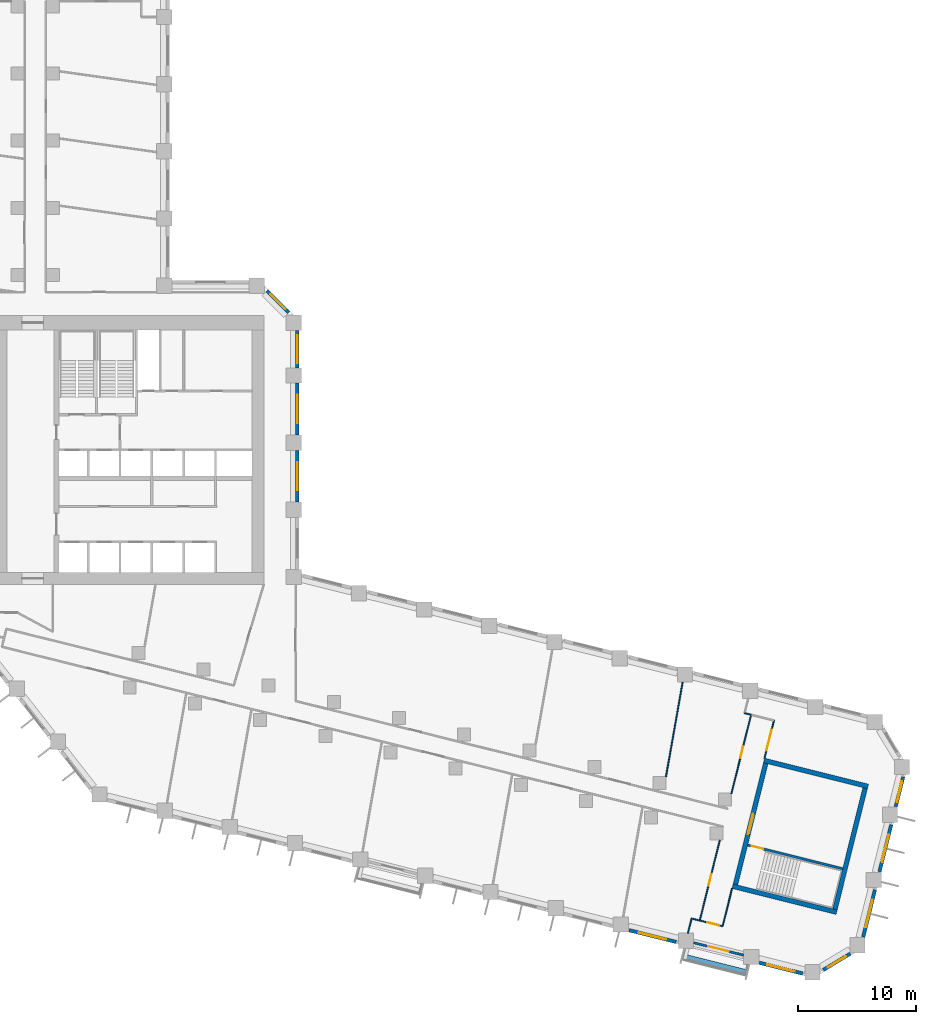
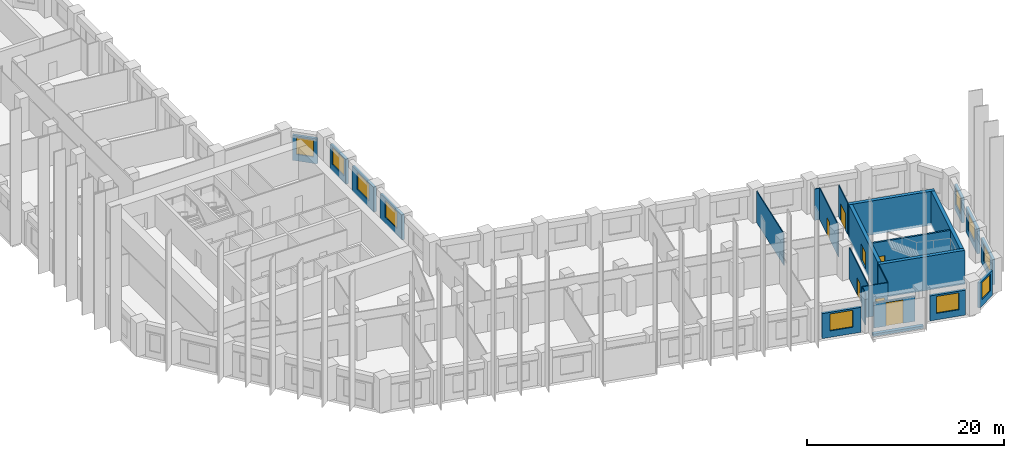
# One storey, part 6 of 10: 26 walls, 10 windows, 7 doors, 17 openings.
"""IFC4 building model written with IfcOpenShell, lengths in metres."""

from ifc_helpers import new_model, si_unit, direction, frame, frame_2d, origin, place, context, subcontext, project, spatial, rectangle, extrude, material, layer, layer_set, type_object, element, fill, save


model = new_model("IFC4")

# Units and contexts
model_context = context("Model", 3, precision=1e-05, world=origin(), true_north=direction((0.0, 1.0)))
body_context = subcontext(model_context, "Body", "Model", "MODEL_VIEW")
ifc_project = project(units=[si_unit("LENGTHUNIT", "METRE"), si_unit("AREAUNIT", "SQUARE_METRE"), si_unit("VOLUMEUNIT", "CUBIC_METRE"), si_unit("PLANEANGLEUNIT", "RADIAN"), si_unit("MASSUNIT", "GRAM", prefix="KILO")], contexts=[model_context])

# Site, building, storey
site_placement = place(None, origin())
site = spatial("IfcSite", under=ifc_project, at=site_placement, CompositionType="ELEMENT")
building_placement = place(site_placement, origin())
building = spatial("IfcBuilding", under=site, at=building_placement, Name="Meshkara Civic Tower", CompositionType="ELEMENT")
storey_placement = place(building_placement, frame((0.0, 0.0, 114.0)))
storey = spatial("IfcBuildingStorey", under=building, at=storey_placement, Name="L25", CompositionType="ELEMENT", Elevation=114.0)

# Wall, opening, door
ifc_material_1 = material(Name="Corridor wall 100")
ifc_layer_1 = layer(ifc_material_1, 0.10009765625)
ifc_layer_set_1 = layer_set([ifc_layer_1], Name="Corridor wall 100")
wall_type_1 = type_object("IfcWallType", Name="Corridor wall 100", PredefinedType="PARTITIONING", material=ifc_layer_set_1)
wall_1_placement = place(storey_placement, frame((67.79296875, -14.428955078125, 0.0), z_axis=(0.0, 0.0, 1.0), x_axis=(0.9702715884, -0.242018686767, 0.0)))
wall_1 = element("IfcWall", 1, at=wall_1_placement, inside=storey, type_object=wall_type_1, Name="L25-W024", PredefinedType="PARTITIONING", context=body_context, shape_type="SweptSolid", body=[
    extrude(rectangle(XDim=2.00048828125, YDim=0.10009765625, at=frame_2d((1.000244140625, 0.0))), origin(), (0.0, 0.0, 1.0), 3.89990234375),
])
opening_1_placement = place(wall_1_placement, frame((0.679931640625, 0.0, 0.0)))
opening_1 = element("IfcOpeningElement", 2, at=opening_1_placement, cuts=wall_1, Name="Opening L25-D001", PredefinedType="OPENING", context=body_context, shape_type="SweptSolid", body=[
    extrude(rectangle(XDim=1.0, YDim=2.10009765625, at=frame_2d((0.5, 1.050048828125))), frame((0.0, 0.06005859375, 0.0), z_axis=(0.0, -1.0, 0.0), x_axis=(1.0, 0.0, 0.0)), (0.0, 0.0, 1.0), 0.1201171875),
])
ifc_material_2 = material(Name="Door 1000 x 2100")
door_type_1 = type_object("IfcDoorType", Name="Door 1000 x 2100", OperationType="SINGLE_SWING_LEFT", PredefinedType="DOOR", material=ifc_material_2)
door_1_placement = place(opening_1_placement, origin())
door_1 = element("IfcDoor", 3, at=door_1_placement, inside=storey, type_object=door_type_1, Name="L25-D001", OperationType="SINGLE_SWING_LEFT", OverallHeight=2.10009765625, OverallWidth=1.0, PredefinedType="DOOR", context=body_context, shape_type="SweptSolid", body=[
    extrude(rectangle(XDim=1.0, YDim=2.10009765625, at=frame_2d((0.5, 1.050048828125))), frame((0.0, 0.02490234375, 0.0), z_axis=(0.0, -1.0, 0.0), x_axis=(1.0, 0.0, 0.0)), (0.0, 0.0, 1.0), 0.050048828125),
])
fill(opening_1, door_1)

wall_2_placement = place(storey_placement, frame((69.49609375, -7.60009765625, 0.0), z_axis=(0.0, 0.0, 1.0), x_axis=(-0.241988728544, -0.970279060507, 0.0)))
wall_2 = element("IfcWall", 4, at=wall_2_placement, inside=storey, type_object=wall_type_1, Name="L25-W025", PredefinedType="PARTITIONING", context=body_context, shape_type="SweptSolid", body=[
    extrude(rectangle(XDim=7.0380859375, YDim=0.10009765625, at=frame_2d((3.51904296875, 0.0))), origin(), (0.0, 0.0, 1.0), 3.89990234375),
])
opening_2_placement = place(wall_2_placement, frame((2.97998046875, 0.0, 0.0)))
opening_2 = element("IfcOpeningElement", 5, at=opening_2_placement, cuts=wall_2, Name="Opening L25-D002", PredefinedType="OPENING", context=body_context, shape_type="SweptSolid", body=[
    extrude(rectangle(XDim=1.0, YDim=2.10009765625, at=frame_2d((0.5, 1.050048828125))), frame((0.0, 0.06005859375, 0.0), z_axis=(0.0, -1.0, 0.0), x_axis=(1.0, 0.0, 0.0)), (0.0, 0.0, 1.0), 0.1201171875),
])
door_2_placement = place(opening_2_placement, origin())
door_2 = element("IfcDoor", 6, at=door_2_placement, inside=storey, type_object=door_type_1, Name="L25-D002", OperationType="SINGLE_SWING_RIGHT", OverallHeight=2.10009765625, OverallWidth=1.0, PredefinedType="DOOR", context=body_context, shape_type="SweptSolid", body=[
    extrude(rectangle(XDim=1.0, YDim=2.10009765625, at=frame_2d((0.5, 1.050048828125))), frame((0.0, 0.02490234375, 0.0), z_axis=(0.0, -1.0, 0.0), x_axis=(1.0, 0.0, 0.0)), (0.0, 0.0, 1.0), 0.050048828125),
])
fill(opening_2, door_2)

# Wall
wall_3_placement = place(storey_placement, frame((69.73388671875, -14.9130859375, 0.0), z_axis=(0.0, 0.0, 1.0), x_axis=(0.241839284064, 0.97031631991, 0.0)))
element("IfcWall", 7, at=wall_3_placement, inside=storey, type_object=wall_type_1, Name="L25-W026", PredefinedType="PARTITIONING", context=body_context, shape_type="SweptSolid", body=[
    extrude(rectangle(XDim=3.300048828125, YDim=0.10009765625, at=frame_2d((1.64990234375, 0.0))), origin(), (0.0, 0.0, 1.0), 3.89990234375),
])

# Wall, opening, door
wall_4_placement = place(storey_placement, frame((72.14794921875, 3.035888671875, 0.0), z_axis=(0.0, 0.0, 1.0), x_axis=(-0.241945347889, -0.970289878662, 0.0)))
wall_4 = element("IfcWall", 8, at=wall_4_placement, inside=storey, type_object=wall_type_1, Name="L25-W027", PredefinedType="PARTITIONING", context=body_context, shape_type="SweptSolid", body=[
    extrude(rectangle(XDim=6.91015625, YDim=0.10009765625, at=frame_2d((3.455078125, 0.0))), origin(), (0.0, 0.0, 1.0), 3.89990234375),
])
opening_3_placement = place(wall_4_placement, frame((2.780029296875, 0.0, 0.0)))
opening_3 = element("IfcOpeningElement", 9, at=opening_3_placement, cuts=wall_4, Name="Opening L25-D006", PredefinedType="OPENING", context=body_context, shape_type="SweptSolid", body=[
    extrude(rectangle(XDim=1.0, YDim=2.10009765625, at=frame_2d((0.5, 1.050048828125))), frame((0.0, 0.06005859375, 0.0), z_axis=(0.0, -1.0, 0.0), x_axis=(1.0, 0.0, 0.0)), (0.0, 0.0, 1.0), 0.1201171875),
])
door_3_placement = place(opening_3_placement, origin())
door_3 = element("IfcDoor", 10, at=door_3_placement, inside=storey, type_object=door_type_1, Name="L25-D006", OperationType="SINGLE_SWING_RIGHT", OverallHeight=2.10009765625, OverallWidth=1.0, PredefinedType="DOOR", context=body_context, shape_type="SweptSolid", body=[
    extrude(rectangle(XDim=1.0, YDim=2.10009765625, at=frame_2d((0.5, 1.050048828125))), frame((0.0, 0.02490234375, 0.0), z_axis=(0.0, -1.0, 0.0), x_axis=(1.0, 0.0, 0.0)), (0.0, 0.0, 1.0), 0.050048828125),
])
fill(opening_3, door_3)

wall_5_placement = place(storey_placement, frame((73.2900390625, -0.64990234375, 0.0), z_axis=(0.0, 0.0, 1.0), x_axis=(0.241786986316, 0.970329352977, 0.0)))
wall_5 = element("IfcWall", 11, at=wall_5_placement, inside=storey, type_object=wall_type_1, Name="L25-W028", PredefinedType="PARTITIONING", context=body_context, shape_type="SweptSolid", body=[
    extrude(rectangle(XDim=3.2998046875, YDim=0.10009765625, at=frame_2d((1.64990234375, 0.0))), origin(), (0.0, 0.0, 1.0), 3.89990234375),
])
opening_4_placement = place(wall_5_placement, frame((0.679931640625, 0.0, 0.0)))
opening_4 = element("IfcOpeningElement", 12, at=opening_4_placement, cuts=wall_5, Name="Opening L25-D010", PredefinedType="OPENING", context=body_context, shape_type="SweptSolid", body=[
    extrude(rectangle(XDim=1.800048828125, YDim=2.10009765625, at=frame_2d((0.89990234375, 1.050048828125))), frame((0.0, 0.06005859375, 0.0), z_axis=(0.0, -1.0, 0.0), x_axis=(1.0, 0.0, 0.0)), (0.0, 0.0, 1.0), 0.1201171875),
])
ifc_material_3 = material(Name="Door pair 1800 x 2100")
door_type_2 = type_object("IfcDoorType", Name="Door pair 1800 x 2100", OperationType="SINGLE_SWING_LEFT", PredefinedType="DOOR", material=ifc_material_3)
door_4_placement = place(opening_4_placement, origin())
door_4 = element("IfcDoor", 13, at=door_4_placement, inside=storey, type_object=door_type_2, Name="L25-D010", OperationType="DOUBLE_DOOR_SINGLE_SWING", OverallHeight=2.10009765625, OverallWidth=1.800048828125, PredefinedType="DOOR", context=body_context, shape_type="SweptSolid", body=[
    extrude(rectangle(XDim=1.800048828125, YDim=2.10009765625, at=frame_2d((0.89990234375, 1.050048828125))), frame((0.0, 0.02490234375, 0.0), z_axis=(0.0, -1.0, 0.0), x_axis=(1.0, 0.0, 0.0)), (0.0, 0.0, 1.0), 0.050048828125),
])
fill(opening_4, door_4)

# Wall, opening, window
ifc_material_4 = material(Name="Insulated infill panel with bronze anodised aluminium cladding", Category="aluminium")
ifc_layer_2 = layer(ifc_material_4, 0.300048828125)
ifc_layer_set_2 = layer_set([ifc_layer_2], Name="EXTERNAL INFILL WALL 300")
wall_type_2 = type_object("IfcWallType", Name="EXTERNAL INFILL WALL 300", PredefinedType="SOLIDWALL", material=ifc_layer_set_2)
wall_6_placement = place(storey_placement, frame((33.64990234375, 21.069091796875, 0.0), z_axis=(0.0, 0.0, 1.0), x_axis=(0.0, 1.0, 0.0)))
wall_6 = element("IfcWall", 14, at=wall_6_placement, inside=storey, type_object=wall_type_2, Name="External wall", PredefinedType="SOLIDWALL", context=body_context, shape_type="SweptSolid", body=[
    extrude(rectangle(XDim=4.39990234375, YDim=0.300048828125, at=frame_2d((2.199951171875, 0.0))), origin(), (0.0, 0.0, 1.0), 3.10009765625),
])
opening_5_placement = place(wall_6_placement, frame((1.0, 0.0, 0.800048828125)))
opening_5 = element("IfcOpeningElement", 15, at=opening_5_placement, cuts=wall_6, Name="Opening W7", PredefinedType="OPENING", context=body_context, shape_type="SweptSolid", body=[
    extrude(rectangle(XDim=2.39990234375, YDim=2.10009765625, at=frame_2d((1.199951171875, 1.050048828125))), frame((0.0, 0.159912109375, 0.0), z_axis=(0.0, -1.0, 0.0), x_axis=(1.0, 0.0, 0.0)), (0.0, 0.0, 1.0), 0.320068359375),
])
ifc_material_5 = material(Name="Tinted double glazing", Category="glass")
window_type_1 = type_object("IfcWindowType", Name="WINDOW 2400x2100", PartitioningType="DOUBLE_PANEL_VERTICAL", PredefinedType="WINDOW", material=ifc_material_5)
window_1_placement = place(opening_5_placement, origin())
window_1 = element("IfcWindow", 16, at=window_1_placement, inside=storey, type_object=window_type_1, Name="Window", OverallHeight=2.10009765625, OverallWidth=2.39990234375, PartitioningType="DOUBLE_PANEL_VERTICAL", PredefinedType="WINDOW", context=body_context, shape_type="SweptSolid", body=[
    extrude(rectangle(XDim=2.39990234375, YDim=2.10009765625, at=frame_2d((1.199951171875, 1.050048828125))), frame((0.0, 0.030029296875, 0.0), z_axis=(0.0, -1.0, 0.0), x_axis=(1.0, 0.0, 0.0)), (0.0, 0.0, 1.0), 0.06005859375),
])
fill(opening_5, window_1)

wall_7_placement = place(storey_placement, frame((33.64990234375, 26.76904296875, 0.0), z_axis=(0.0, 0.0, 1.0), x_axis=(0.0, 1.0, 0.0)))
wall_7 = element("IfcWall", 17, at=wall_7_placement, inside=storey, type_object=wall_type_2, Name="External wall", PredefinedType="SOLIDWALL", context=body_context, shape_type="SweptSolid", body=[
    extrude(rectangle(XDim=4.39990234375, YDim=0.300048828125, at=frame_2d((2.199951171875, 0.0))), origin(), (0.0, 0.0, 1.0), 3.10009765625),
])
opening_6_placement = place(wall_7_placement, frame((1.0, 0.0, 0.800048828125)))
opening_6 = element("IfcOpeningElement", 18, at=opening_6_placement, cuts=wall_7, Name="Opening W7", PredefinedType="OPENING", context=body_context, shape_type="SweptSolid", body=[
    extrude(rectangle(XDim=2.39990234375, YDim=2.10009765625, at=frame_2d((1.199951171875, 1.050048828125))), frame((0.0, 0.159912109375, 0.0), z_axis=(0.0, -1.0, 0.0), x_axis=(1.0, 0.0, 0.0)), (0.0, 0.0, 1.0), 0.320068359375),
])
window_2_placement = place(opening_6_placement, origin())
window_2 = element("IfcWindow", 19, at=window_2_placement, inside=storey, type_object=window_type_1, Name="Window", OverallHeight=2.10009765625, OverallWidth=2.39990234375, PartitioningType="DOUBLE_PANEL_VERTICAL", PredefinedType="WINDOW", context=body_context, shape_type="SweptSolid", body=[
    extrude(rectangle(XDim=2.39990234375, YDim=2.10009765625, at=frame_2d((1.199951171875, 1.050048828125))), frame((0.0, 0.030029296875, 0.0), z_axis=(0.0, -1.0, 0.0), x_axis=(1.0, 0.0, 0.0)), (0.0, 0.0, 1.0), 0.06005859375),
])
fill(opening_6, window_2)

wall_8_placement = place(storey_placement, frame((33.64990234375, 32.468994140625, 0.0), z_axis=(0.0, 0.0, 1.0), x_axis=(0.0, 1.0, 0.0)))
wall_8 = element("IfcWall", 20, at=wall_8_placement, inside=storey, type_object=wall_type_2, Name="External wall", PredefinedType="SOLIDWALL", context=body_context, shape_type="SweptSolid", body=[
    extrude(rectangle(XDim=3.175048828125, YDim=0.300048828125, at=frame_2d((1.58740234375, 0.0))), origin(), (0.0, 0.0, 1.0), 3.10009765625),
])
opening_7_placement = place(wall_8_placement, frame((0.387939453125, 0.0, 0.800048828125)))
opening_7 = element("IfcOpeningElement", 21, at=opening_7_placement, cuts=wall_8, Name="Opening W7", PredefinedType="OPENING", context=body_context, shape_type="SweptSolid", body=[
    extrude(rectangle(XDim=2.39990234375, YDim=2.10009765625, at=frame_2d((1.199951171875, 1.050048828125))), frame((0.0, 0.159912109375, 0.0), z_axis=(0.0, -1.0, 0.0), x_axis=(1.0, 0.0, 0.0)), (0.0, 0.0, 1.0), 0.320068359375),
])
window_3_placement = place(opening_7_placement, origin())
window_3 = element("IfcWindow", 22, at=window_3_placement, inside=storey, type_object=window_type_1, Name="Window", OverallHeight=2.10009765625, OverallWidth=2.39990234375, PartitioningType="DOUBLE_PANEL_VERTICAL", PredefinedType="WINDOW", context=body_context, shape_type="SweptSolid", body=[
    extrude(rectangle(XDim=2.39990234375, YDim=2.10009765625, at=frame_2d((1.199951171875, 1.050048828125))), frame((0.0, 0.030029296875, 0.0), z_axis=(0.0, -1.0, 0.0), x_axis=(1.0, 0.0, 0.0)), (0.0, 0.0, 1.0), 0.06005859375),
])
fill(opening_7, window_3)

wall_9_placement = place(storey_placement, frame((32.912109375, 37.156005859375, 0.0), z_axis=(0.0, 0.0, 1.0), x_axis=(-0.707153284542, 0.707060274772, 0.0)))
wall_9 = element("IfcWall", 23, at=wall_9_placement, inside=storey, type_object=wall_type_2, Name="External wall", PredefinedType="SOLIDWALL", context=body_context, shape_type="SweptSolid", body=[
    extrude(rectangle(XDim=2.625, YDim=0.300048828125, at=frame_2d((1.3125, 0.0))), origin(), (0.0, 0.0, 1.0), 3.10009765625),
])
opening_8_placement = place(wall_9_placement, frame((0.412109375, 0.0, 0.800048828125)))
opening_8 = element("IfcOpeningElement", 24, at=opening_8_placement, cuts=wall_9, Name="Opening W9", PredefinedType="OPENING", context=body_context, shape_type="SweptSolid", body=[
    extrude(rectangle(XDim=1.800048828125, YDim=2.10009765625, at=frame_2d((0.89990234375, 1.050048828125))), frame((0.0, 0.159912109375, 0.0), z_axis=(0.0, -1.0, 0.0), x_axis=(1.0, 0.0, 0.0)), (0.0, 0.0, 1.0), 0.320068359375),
])
ifc_material_6 = material(Name="Tinted double glazing", Category="glass")
window_type_2 = type_object("IfcWindowType", Name="WINDOW 1800x2100", PartitioningType="DOUBLE_PANEL_VERTICAL", PredefinedType="WINDOW", material=ifc_material_6)
window_4_placement = place(opening_8_placement, origin())
window_4 = element("IfcWindow", 25, at=window_4_placement, inside=storey, type_object=window_type_2, Name="Window", OverallHeight=2.10009765625, OverallWidth=1.800048828125, PartitioningType="DOUBLE_PANEL_VERTICAL", PredefinedType="WINDOW", context=body_context, shape_type="SweptSolid", body=[
    extrude(rectangle(XDim=1.800048828125, YDim=2.10009765625, at=frame_2d((0.89990234375, 1.050048828125))), frame((0.0, 0.030029296875, 0.0), z_axis=(0.0, -1.0, 0.0), x_axis=(1.0, 0.0, 0.0)), (0.0, 0.0, 1.0), 0.06005859375),
])
fill(opening_8, window_4)

wall_10_placement = place(storey_placement, frame((61.7890625, -15.2509765625, 0.0), z_axis=(0.0, 0.0, 1.0), x_axis=(0.970323340708, -0.24181111322, 0.0)))
wall_10 = element("IfcWall", 26, at=wall_10_placement, inside=storey, type_object=wall_type_2, Name="External wall", PredefinedType="SOLIDWALL", context=body_context, shape_type="SweptSolid", body=[
    extrude(rectangle(XDim=4.123291015625, YDim=0.300048828125, at=frame_2d((2.0615234375, 0.0))), origin(), (0.0, 0.0, 1.0), 3.10009765625),
])
opening_9_placement = place(wall_10_placement, frame((0.862060546875, 0.0, 0.800048828125)))
opening_9 = element("IfcOpeningElement", 27, at=opening_9_placement, cuts=wall_10, Name="Opening W7", PredefinedType="OPENING", context=body_context, shape_type="SweptSolid", body=[
    extrude(rectangle(XDim=2.39990234375, YDim=2.10009765625, at=frame_2d((1.199951171875, 1.050048828125))), frame((0.0, 0.159912109375, 0.0), z_axis=(0.0, -1.0, 0.0), x_axis=(1.0, 0.0, 0.0)), (0.0, 0.0, 1.0), 0.320068359375),
])
window_5_placement = place(opening_9_placement, origin())
window_5 = element("IfcWindow", 28, at=window_5_placement, inside=storey, type_object=window_type_1, Name="Window", OverallHeight=2.10009765625, OverallWidth=2.39990234375, PartitioningType="DOUBLE_PANEL_VERTICAL", PredefinedType="WINDOW", context=body_context, shape_type="SweptSolid", body=[
    extrude(rectangle(XDim=2.39990234375, YDim=2.10009765625, at=frame_2d((1.199951171875, 1.050048828125))), frame((0.0, 0.030029296875, 0.0), z_axis=(0.0, -1.0, 0.0), x_axis=(1.0, 0.0, 0.0)), (0.0, 0.0, 1.0), 0.06005859375),
])
fill(opening_9, window_5)

wall_11_placement = place(storey_placement, frame((72.85009765625, -18.009033203125, 0.0), z_axis=(0.0, 0.0, 1.0), x_axis=(0.970309295155, -0.241867467295, 0.0)))
wall_11 = element("IfcWall", 29, at=wall_11_placement, inside=storey, type_object=wall_type_2, Name="External wall", PredefinedType="SOLIDWALL", context=body_context, shape_type="SweptSolid", body=[
    extrude(rectangle(XDim=3.783203125, YDim=0.300048828125, at=frame_2d((1.8916015625, 0.0))), origin(), (0.0, 0.0, 1.0), 3.10009765625),
])
opening_10_placement = place(wall_11_placement, frame((0.69189453125, 0.0, 0.800048828125)))
opening_10 = element("IfcOpeningElement", 30, at=opening_10_placement, cuts=wall_11, Name="Opening W7", PredefinedType="OPENING", context=body_context, shape_type="SweptSolid", body=[
    extrude(rectangle(XDim=2.39990234375, YDim=2.10009765625, at=frame_2d((1.199951171875, 1.050048828125))), frame((0.0, 0.159912109375, 0.0), z_axis=(0.0, -1.0, 0.0), x_axis=(1.0, 0.0, 0.0)), (0.0, 0.0, 1.0), 0.320068359375),
])
window_6_placement = place(opening_10_placement, origin())
window_6 = element("IfcWindow", 31, at=window_6_placement, inside=storey, type_object=window_type_1, Name="Window", OverallHeight=2.10009765625, OverallWidth=2.39990234375, PartitioningType="DOUBLE_PANEL_VERTICAL", PredefinedType="WINDOW", context=body_context, shape_type="SweptSolid", body=[
    extrude(rectangle(XDim=2.39990234375, YDim=2.10009765625, at=frame_2d((1.199951171875, 1.050048828125))), frame((0.0, 0.030029296875, 0.0), z_axis=(0.0, -1.0, 0.0), x_axis=(1.0, 0.0, 0.0)), (0.0, 0.0, 1.0), 0.06005859375),
])
fill(opening_10, window_6)

wall_12_placement = place(storey_placement, frame((78.277099609375, -18.62109375, 0.0), z_axis=(0.0, 0.0, 1.0), x_axis=(0.857066424989, 0.515205923061, 0.0)))
wall_12 = element("IfcWall", 32, at=wall_12_placement, inside=storey, type_object=wall_type_2, Name="External wall", PredefinedType="SOLIDWALL", context=body_context, shape_type="SweptSolid", body=[
    extrude(rectangle(XDim=2.6787109375, YDim=0.300048828125, at=frame_2d((1.33935546875, 0.0))), origin(), (0.0, 0.0, 1.0), 3.10009765625),
])
opening_11_placement = place(wall_12_placement, frame((0.43896484375, 0.0, 0.800048828125)))
opening_11 = element("IfcOpeningElement", 33, at=opening_11_placement, cuts=wall_12, Name="Opening W9", PredefinedType="OPENING", context=body_context, shape_type="SweptSolid", body=[
    extrude(rectangle(XDim=1.800048828125, YDim=2.10009765625, at=frame_2d((0.89990234375, 1.050048828125))), frame((0.0, 0.159912109375, 0.0), z_axis=(0.0, -1.0, 0.0), x_axis=(1.0, 0.0, 0.0)), (0.0, 0.0, 1.0), 0.320068359375),
])
window_7_placement = place(opening_11_placement, origin())
window_7 = element("IfcWindow", 34, at=window_7_placement, inside=storey, type_object=window_type_2, Name="Window", OverallHeight=2.10009765625, OverallWidth=1.800048828125, PartitioningType="DOUBLE_PANEL_VERTICAL", PredefinedType="WINDOW", context=body_context, shape_type="SweptSolid", body=[
    extrude(rectangle(XDim=1.800048828125, YDim=2.10009765625, at=frame_2d((0.89990234375, 1.050048828125))), frame((0.0, 0.030029296875, 0.0), z_axis=(0.0, -1.0, 0.0), x_axis=(1.0, 0.0, 0.0)), (0.0, 0.0, 1.0), 0.06005859375),
])
fill(opening_11, window_7)

wall_13_placement = place(storey_placement, frame((81.6650390625, -15.83203125, 0.0), z_axis=(0.0, 0.0, 1.0), x_axis=(0.241978480223, 0.970281616392, 0.0)))
wall_13 = element("IfcWall", 35, at=wall_13_placement, inside=storey, type_object=wall_type_2, Name="External wall", PredefinedType="SOLIDWALL", context=body_context, shape_type="SweptSolid", body=[
    extrude(rectangle(XDim=4.12451171875, YDim=0.300048828125, at=frame_2d((2.062255859375, 0.0))), origin(), (0.0, 0.0, 1.0), 3.10009765625),
])
opening_12_placement = place(wall_13_placement, frame((0.862060546875, 0.0, 0.800048828125)))
opening_12 = element("IfcOpeningElement", 36, at=opening_12_placement, cuts=wall_13, Name="Opening W7", PredefinedType="OPENING", context=body_context, shape_type="SweptSolid", body=[
    extrude(rectangle(XDim=2.39990234375, YDim=2.10009765625, at=frame_2d((1.199951171875, 1.050048828125))), frame((0.0, 0.159912109375, 0.0), z_axis=(0.0, -1.0, 0.0), x_axis=(1.0, 0.0, 0.0)), (0.0, 0.0, 1.0), 0.320068359375),
])
window_8_placement = place(opening_12_placement, origin())
window_8 = element("IfcWindow", 37, at=window_8_placement, inside=storey, type_object=window_type_1, Name="Window", OverallHeight=2.10009765625, OverallWidth=2.39990234375, PartitioningType="DOUBLE_PANEL_VERTICAL", PredefinedType="WINDOW", context=body_context, shape_type="SweptSolid", body=[
    extrude(rectangle(XDim=2.39990234375, YDim=2.10009765625, at=frame_2d((1.199951171875, 1.050048828125))), frame((0.0, 0.030029296875, 0.0), z_axis=(0.0, -1.0, 0.0), x_axis=(1.0, 0.0, 0.0)), (0.0, 0.0, 1.0), 0.06005859375),
])
fill(opening_12, window_8)

wall_14_placement = place(storey_placement, frame((83.0439453125, -10.301025390625, 0.0), z_axis=(0.0, 0.0, 1.0), x_axis=(0.242034083076, 0.970267747908, 0.0)))
wall_14 = element("IfcWall", 38, at=wall_14_placement, inside=storey, type_object=wall_type_2, Name="External wall", PredefinedType="SOLIDWALL", context=body_context, shape_type="SweptSolid", body=[
    extrude(rectangle(XDim=4.12353515625, YDim=0.300048828125, at=frame_2d((2.061767578125, 0.0))), origin(), (0.0, 0.0, 1.0), 3.10009765625),
])
opening_13_placement = place(wall_14_placement, frame((0.862060546875, 0.0, 0.800048828125)))
opening_13 = element("IfcOpeningElement", 39, at=opening_13_placement, cuts=wall_14, Name="Opening W7", PredefinedType="OPENING", context=body_context, shape_type="SweptSolid", body=[
    extrude(rectangle(XDim=2.39990234375, YDim=2.10009765625, at=frame_2d((1.199951171875, 1.050048828125))), frame((0.0, 0.159912109375, 0.0), z_axis=(0.0, -1.0, 0.0), x_axis=(1.0, 0.0, 0.0)), (0.0, 0.0, 1.0), 0.320068359375),
])
window_9_placement = place(opening_13_placement, origin())
window_9 = element("IfcWindow", 40, at=window_9_placement, inside=storey, type_object=window_type_1, Name="Window", OverallHeight=2.10009765625, OverallWidth=2.39990234375, PartitioningType="DOUBLE_PANEL_VERTICAL", PredefinedType="WINDOW", context=body_context, shape_type="SweptSolid", body=[
    extrude(rectangle(XDim=2.39990234375, YDim=2.10009765625, at=frame_2d((1.199951171875, 1.050048828125))), frame((0.0, 0.030029296875, 0.0), z_axis=(0.0, -1.0, 0.0), x_axis=(1.0, 0.0, 0.0)), (0.0, 0.0, 1.0), 0.06005859375),
])
fill(opening_13, window_9)

wall_15_placement = place(storey_placement, frame((84.423095703125, -4.77099609375, 0.0), z_axis=(0.0, 0.0, 1.0), x_axis=(0.241941668773, 0.970290796056, 0.0)))
wall_15 = element("IfcWall", 41, at=wall_15_placement, inside=storey, type_object=wall_type_2, Name="External wall", PredefinedType="SOLIDWALL", context=body_context, shape_type="SweptSolid", body=[
    extrude(rectangle(XDim=2.611572265625, YDim=0.300048828125, at=frame_2d((1.3056640625, 0.0))), origin(), (0.0, 0.0, 1.0), 3.10009765625),
])
opening_14_placement = place(wall_15_placement, frame((0.406005859375, 0.0, 0.800048828125)))
opening_14 = element("IfcOpeningElement", 42, at=opening_14_placement, cuts=wall_15, Name="Opening W9", PredefinedType="OPENING", context=body_context, shape_type="SweptSolid", body=[
    extrude(rectangle(XDim=1.800048828125, YDim=2.10009765625, at=frame_2d((0.89990234375, 1.050048828125))), frame((0.0, 0.159912109375, 0.0), z_axis=(0.0, -1.0, 0.0), x_axis=(1.0, 0.0, 0.0)), (0.0, 0.0, 1.0), 0.320068359375),
])
window_10_placement = place(opening_14_placement, origin())
window_10 = element("IfcWindow", 43, at=window_10_placement, inside=storey, type_object=window_type_2, Name="Window", OverallHeight=2.10009765625, OverallWidth=1.800048828125, PartitioningType="DOUBLE_PANEL_VERTICAL", PredefinedType="WINDOW", context=body_context, shape_type="SweptSolid", body=[
    extrude(rectangle(XDim=1.800048828125, YDim=2.10009765625, at=frame_2d((0.89990234375, 1.050048828125))), frame((0.0, 0.030029296875, 0.0), z_axis=(0.0, -1.0, 0.0), x_axis=(1.0, 0.0, 0.0)), (0.0, 0.0, 1.0), 0.06005859375),
])
fill(opening_14, window_10)

# Walls
ifc_material_7 = material(Name="Concrete C70", Category="concrete")
ifc_layer_3 = layer(ifc_material_7, 0.39990234375)
ifc_layer_set_3 = layer_set([ifc_layer_3], Name="End core ring wall 400 C70")
wall_type_3 = type_object("IfcWallType", Name="End core ring wall 400 C70", PredefinedType="SHEAR", material=ifc_layer_set_3)
for number, where, z_axis, x_axis, name in (
    (44, (70.580078125, -11.51708984375, -0.300048828125), (0.0, 0.0, 1.0), (0.970285938441, -0.241961149081, 0.0), "L25-C031"),
    (45, (73.240966796875, -0.843994140625, -0.300048828125), (0.0, 0.0, 1.0), (0.970312696888, -0.241853820019, 0.0), "L25-C032"),
):
    element("IfcWall", number, at=place(storey_placement, frame(where, z_axis=z_axis, x_axis=x_axis)), inside=storey, type_object=wall_type_3, Name=name, PredefinedType="SHEAR", context=body_context, shape_type="SweptSolid", body=[
        extrude(rectangle(XDim=9.100341796875, YDim=0.39990234375, at=frame_2d((4.55029296875, 0.0))), origin(), (0.0, 0.0, 1.0), 4.199951171875),
    ])

# Wall, opening, door
wall_16_placement = place(storey_placement, frame((70.822998046875, -11.37109375, -0.300048828125), z_axis=(0.0, 0.0, 1.0), x_axis=(0.241885246693, 0.97030486314, 0.0)))
wall_16 = element("IfcWall", 46, at=wall_16_placement, inside=storey, type_object=wall_type_3, Name="L25-C033", PredefinedType="SHEAR", context=body_context, shape_type="SweptSolid", body=[
    extrude(rectangle(XDim=10.599853515625, YDim=0.39990234375, at=frame_2d((5.2998046875, 0.0))), origin(), (0.0, 0.0, 1.0), 4.199951171875),
])
opening_15_placement = place(wall_16_placement, frame((4.39990234375, 0.0, 0.300048828125)))
opening_15 = element("IfcOpeningElement", 47, at=opening_15_placement, cuts=wall_16, Name="Opening L25-K202", PredefinedType="OPENING", context=body_context, shape_type="SweptSolid", body=[
    extrude(rectangle(XDim=1.800048828125, YDim=2.10009765625, at=frame_2d((0.89990234375, 1.050048828125))), frame((0.0, 0.2099609375, 0.0), z_axis=(0.0, -1.0, 0.0), x_axis=(1.0, 0.0, 0.0)), (0.0, 0.0, 1.0), 0.419921875),
])
ifc_material_8 = material(Name="Fire-rated door leaf in steel frame", Category="steel")
door_type_3 = type_object("IfcDoorType", Name="Core double door 1800 EI 60", OperationType="DOUBLE_DOOR_SINGLE_SWING", PredefinedType="DOOR", material=ifc_material_8)
door_5_placement = place(opening_15_placement, origin())
door_5 = element("IfcDoor", 48, at=door_5_placement, inside=storey, type_object=door_type_3, Name="L25-K202", OperationType="DOUBLE_DOOR_SINGLE_SWING", OverallHeight=2.10009765625, OverallWidth=1.800048828125, PredefinedType="DOOR", context=body_context, shape_type="SweptSolid", body=[
    extrude(rectangle(XDim=1.800048828125, YDim=2.10009765625, at=frame_2d((0.89990234375, 1.050048828125))), frame((0.0, 0.02490234375, 0.0), z_axis=(0.0, -1.0, 0.0), x_axis=(1.0, 0.0, 0.0)), (0.0, 0.0, 1.0), 0.050048828125),
])
fill(opening_15, door_5)

# Wall
wall_17_placement = place(storey_placement, frame((79.263916015625, -13.47607421875, -0.300048828125), z_axis=(0.0, 0.0, 1.0), x_axis=(0.241993665753, 0.970277829148, 0.0)))
element("IfcWall", 49, at=wall_17_placement, inside=storey, type_object=wall_type_3, Name="L25-C034", PredefinedType="SHEAR", context=body_context, shape_type="SweptSolid", body=[
    extrude(rectangle(XDim=10.60009765625, YDim=0.39990234375, at=frame_2d((5.300048828125, 0.0))), origin(), (0.0, 0.0, 1.0), 4.199951171875),
])

# Wall, opening, door
ifc_material_9 = material(Name="Insulated infill panel with bronze anodised aluminium cladding", Category="aluminium")
ifc_layer_4 = layer(ifc_material_9, 0.199951171875)
ifc_layer_set_4 = layer_set([ifc_layer_4], Name="LOGGIA BACK WALL 200")
wall_type_4 = type_object("IfcWallType", Name="LOGGIA BACK WALL 200", PredefinedType="SOLIDWALL", material=ifc_layer_set_4)
wall_18_placement = place(storey_placement, frame((67.277099609375, -16.31005859375, 0.0), z_axis=(0.0, 0.0, 1.0), x_axis=(0.970293811216, -0.241929576357, 0.0)))
wall_18 = element("IfcWall", 50, at=wall_18_placement, inside=storey, type_object=wall_type_4, Name="Loggia wall", PredefinedType="SOLIDWALL", context=body_context, shape_type="SweptSolid", body=[
    extrude(rectangle(XDim=4.360595703125, YDim=0.199951171875, at=frame_2d((2.18017578125, 0.0))), origin(), (0.0, 0.0, 1.0), 3.10009765625),
])
opening_16_placement = place(wall_18_placement, frame((1.280029296875, 0.0, 0.0)))
opening_16 = element("IfcOpeningElement", 51, at=opening_16_placement, cuts=wall_18, Name="Opening L25-L003", PredefinedType="OPENING", context=body_context, shape_type="SweptSolid", body=[
    extrude(rectangle(XDim=1.800048828125, YDim=2.89990234375, at=frame_2d((0.89990234375, 1.449951171875))), frame((0.0, 0.10986328125, 0.0), z_axis=(0.0, -1.0, 0.0), x_axis=(1.0, 0.0, 0.0)), (0.0, 0.0, 1.0), 0.219970703125),
])
ifc_material_10 = material(Name="Tinted double glazing", Category="glass")
door_type_4 = type_object("IfcDoorType", Name="LOGGIA DOOR 1800x2900", OperationType="DOUBLE_DOOR_SINGLE_SWING", PredefinedType="DOOR", material=ifc_material_10)
door_6_placement = place(opening_16_placement, origin())
door_6 = element("IfcDoor", 52, at=door_6_placement, inside=storey, type_object=door_type_4, Name="L25-L003", OperationType="DOUBLE_DOOR_SINGLE_SWING", OverallHeight=2.89990234375, OverallWidth=1.800048828125, PredefinedType="DOOR", context=body_context, shape_type="SweptSolid", body=[
    extrude(rectangle(XDim=1.800048828125, YDim=2.89990234375, at=frame_2d((0.89990234375, 1.449951171875))), frame((0.0, 0.02490234375, 0.0), z_axis=(0.0, -1.0, 0.0), x_axis=(1.0, 0.0, 0.0)), (0.0, 0.0, 1.0), 0.050048828125),
])
fill(opening_16, door_6)

# Walls
ifc_material_11 = material(Name="Concrete C40", Category="concrete")
ifc_layer_5 = layer(ifc_material_11, 0.39990234375)
ifc_layer_set_5 = layer_set([ifc_layer_5], Name="PLANTER TRAY")
wall_type_5 = type_object("IfcWallType", Name="PLANTER TRAY", PredefinedType="SOLIDWALL", material=ifc_layer_set_5)
wall_19_placement = place(storey_placement, frame((66.469970703125, -17.47900390625, 0.0), z_axis=(0.0, 0.0, 1.0), x_axis=(0.970289679319, -0.241946147329, 0.0)))
element("IfcWall", 53, at=wall_19_placement, inside=storey, type_object=wall_type_5, Name="Planter", PredefinedType="SOLIDWALL", context=body_context, shape_type="SweptSolid", body=[
    extrude(rectangle(XDim=5.360107421875, YDim=0.39990234375, at=frame_2d((2.68017578125, 0.0))), origin(), (0.0, 0.0, 1.0), 0.300048828125),
])
ifc_material_12 = material(Name="Partition 100")
ifc_layer_6 = layer(ifc_material_12, 0.10009765625)
ifc_layer_set_6 = layer_set([ifc_layer_6], Name="Partition 100")
wall_type_6 = type_object("IfcWallType", Name="Partition 100", PredefinedType="PARTITIONING", material=ifc_layer_set_6)
wall_20_placement = place(storey_placement, frame((64.927001953125, -2.2109375, 0.0), z_axis=(0.0, 0.0, 1.0), x_axis=(0.17370309897, 0.984798067326, 0.0)))
element("IfcWall", 54, at=wall_20_placement, inside=storey, type_object=wall_type_6, Name="L25-W049", PredefinedType="PARTITIONING", context=body_context, shape_type="SweptSolid", body=[
    extrude(rectangle(XDim=8.12939453125, YDim=0.10009765625, at=frame_2d((4.064697265625, 0.0))), origin(), (0.0, 0.0, 1.0), 3.89990234375),
])
wall_21_placement = place(storey_placement, frame((66.7890625, -15.498046875, 0.0), z_axis=(0.0, 0.0, 1.0), x_axis=(0.242221476086, 0.970220983345, 0.0)))
element("IfcWall", 55, at=wall_21_placement, inside=storey, type_object=wall_type_6, Name="L25-W050", PredefinedType="PARTITIONING", context=body_context, shape_type="SweptSolid", body=[
    extrude(rectangle(XDim=1.280029296875, YDim=0.10009765625, at=frame_2d((0.64013671875, 0.0))), origin(), (0.0, 0.0, 1.0), 3.89990234375),
])
wall_22_placement = place(storey_placement, frame((67.09912109375, -14.256103515625, 0.0), z_axis=(0.0, 0.0, 1.0), x_axis=(0.970361718061, -0.24165706305, 0.0)))
element("IfcWall", 56, at=wall_22_placement, inside=storey, type_object=wall_type_6, Name="L25-W051", PredefinedType="PARTITIONING", context=body_context, shape_type="SweptSolid", body=[
    extrude(rectangle(XDim=0.71923828125, YDim=0.10009765625, at=frame_2d((0.359619140625, 0.0))), origin(), (0.0, 0.0, 1.0), 3.89990234375),
])
wall_23_placement = place(storey_placement, frame((72.152099609375, 3.034912109375, 0.0), z_axis=(0.0, 0.0, 1.0), x_axis=(-0.97039125345, 0.241538434265, 0.0)))
element("IfcWall", 57, at=wall_23_placement, inside=storey, type_object=wall_type_6, Name="L25-W053", PredefinedType="PARTITIONING", context=body_context, shape_type="SweptSolid", body=[
    extrude(rectangle(XDim=0.576171875, YDim=0.10009765625, at=frame_2d((0.2880859375, 0.0))), origin(), (0.0, 0.0, 1.0), 3.89990234375),
])

# Wall, opening, door
ifc_material_13 = material(Name="Concrete C40/50", Category="concrete")
ifc_layer_7 = layer(ifc_material_13, 0.199951171875)
ifc_layer_set_7 = layer_set([ifc_layer_7], Name="Stair enclosure wall 200 C40/50")
wall_type_7 = type_object("IfcWallType", Name="Stair enclosure wall 200 C40/50", PredefinedType="SOLIDWALL", material=ifc_layer_set_7)
wall_24_placement = place(storey_placement, frame((71.864013671875, -8.02392578125, 0.0), z_axis=(0.0, 0.0, 1.0), x_axis=(0.970289402158, -0.241947258837, 0.0)))
wall_24 = element("IfcWall", 58, at=wall_24_placement, inside=storey, type_object=wall_type_7, Name="L25-C035", PredefinedType="SOLIDWALL", context=body_context, shape_type="SweptSolid", body=[
    extrude(rectangle(XDim=8.299560546875, YDim=0.199951171875, at=frame_2d((4.14990234375, 0.0))), origin(), (0.0, 0.0, 1.0), 3.89990234375),
])
opening_17_placement = place(wall_24_placement, frame((0.35009765625, 0.0, 0.0)))
opening_17 = element("IfcOpeningElement", 59, at=opening_17_placement, cuts=wall_24, Name="Opening L25-K201", PredefinedType="OPENING", context=body_context, shape_type="SweptSolid", body=[
    extrude(rectangle(XDim=1.0, YDim=2.10009765625, at=frame_2d((0.5, 1.050048828125))), frame((0.0, 0.10986328125, 0.0), z_axis=(0.0, -1.0, 0.0), x_axis=(1.0, 0.0, 0.0)), (0.0, 0.0, 1.0), 0.219970703125),
])
ifc_material_14 = material(Name="Fire-rated door leaf in steel frame", Category="steel")
door_type_5 = type_object("IfcDoorType", Name="Stair door 1000 EI 120", OperationType="SINGLE_SWING_LEFT", PredefinedType="DOOR", material=ifc_material_14)
door_7_placement = place(opening_17_placement, origin())
door_7 = element("IfcDoor", 60, at=door_7_placement, inside=storey, type_object=door_type_5, Name="L25-K201", OperationType="SINGLE_SWING_LEFT", OverallHeight=2.10009765625, OverallWidth=1.0, PredefinedType="DOOR", context=body_context, shape_type="SweptSolid", body=[
    extrude(rectangle(XDim=1.0, YDim=2.10009765625, at=frame_2d((0.5, 1.050048828125))), frame((0.0, 0.02490234375, 0.0), z_axis=(0.0, -1.0, 0.0), x_axis=(1.0, 0.0, 0.0)), (0.0, 0.0, 1.0), 0.050048828125),
])
fill(opening_17, door_7)

save(model, "model.ifc")
